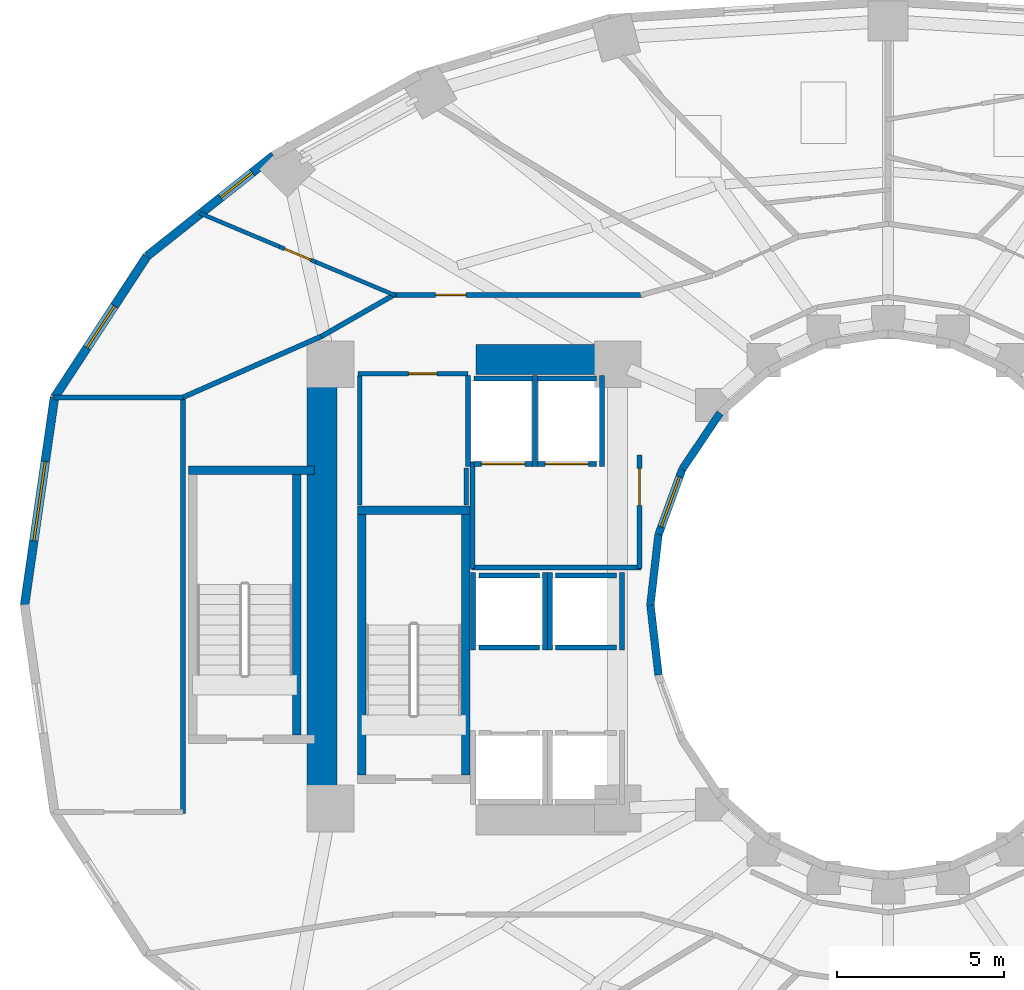
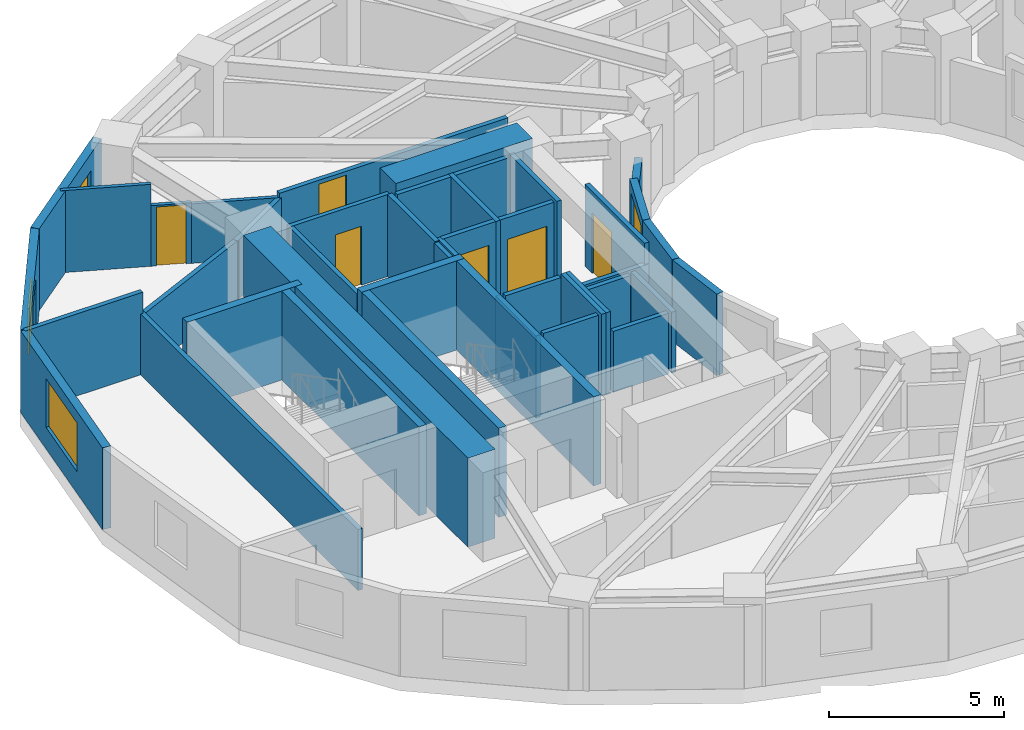
# One storey, part 8 of 15: 43 walls, 6 doors, 4 windows, 10 openings.
"""IFC4 building model written with IfcOpenShell, lengths in metres."""

from ifc_helpers import new_model, si_unit, direction, frame, frame_2d, origin, place, context, subcontext, project, spatial, rectangle, extrude, material, layer, layer_set, type_object, element, fill, save


model = new_model("IFC4")

# Units and contexts
model_context = context("Model", 3, precision=1e-05, world=origin(), true_north=direction((0.0, 1.0)))
body_context = subcontext(model_context, "Body", "Model", "MODEL_VIEW")
ifc_project = project(units=[si_unit("LENGTHUNIT", "METRE"), si_unit("AREAUNIT", "SQUARE_METRE"), si_unit("VOLUMEUNIT", "CUBIC_METRE"), si_unit("PLANEANGLEUNIT", "RADIAN"), si_unit("MASSUNIT", "GRAM", prefix="KILO")], contexts=[model_context])

# Site, building, storey
site_placement = place(None, origin())
site = spatial("IfcSite", under=ifc_project, at=site_placement, CompositionType="ELEMENT")
building_placement = place(site_placement, origin())
building = spatial("IfcBuilding", under=site, at=building_placement, Name="Solvane Sanctuary Tower", CompositionType="ELEMENT")
storey_placement = place(building_placement, frame((0.0, 0.0, 46.199951171875)))
storey = spatial("IfcBuildingStorey", under=building, at=storey_placement, Name="L13", CompositionType="ELEMENT", Elevation=46.199951171875)

# Walls
ifc_material_1 = material(Name="Concrete C70/85", Category="concrete")
ifc_layer_1 = layer(ifc_material_1, 0.89990234375, Name="Concrete C70/85")
ifc_layer_set_1 = layer_set([ifc_layer_1], Name="Concrete C70/85")
wall_type_1 = type_object("IfcWallType", Name="Wall W-CORE-900", PredefinedType="SHEAR", material=ifc_layer_set_1)
wall_1_placement = place(storey_placement, frame((15.050048828125, 17.050048828125, 0.0), z_axis=(0.0, 0.0, 1.0), x_axis=(0.0, 1.0, 0.0)))
element("IfcWall", 1, at=wall_1_placement, inside=storey, type_object=wall_type_1, Name="L13 Core Shear Wall WC-W", PredefinedType="SHEAR", context=body_context, shape_type="SweptSolid", body=[
    extrude(rectangle(XDim=12.800048828125, YDim=0.89990234375, at=frame_2d((6.39990234375, 0.0))), origin(), (0.0, 0.0, 1.0), 3.10009765625),
])
wall_2_placement = place(storey_placement, frame((19.64990234375, 30.35009765625, 0.0), z_axis=(0.0, 0.0, 1.0), x_axis=(1.0, 0.0, 0.0)))
element("IfcWall", 2, at=wall_2_placement, inside=storey, type_object=wall_type_1, Name="L13 Core Shear Wall WC-N", PredefinedType="SHEAR", context=body_context, shape_type="SweptSolid", body=[
    extrude(rectangle(XDim=4.5, YDim=0.89990234375, at=frame_2d((2.25, 0.0))), origin(), (0.0, 0.0, 1.0), 3.10009765625),
])
ifc_material_2 = material(Name="Acoustic Gypsum Partition Board")
ifc_layer_2 = layer(ifc_material_2, 0.14990234375, Name="Acoustic Gypsum Partition Board")
ifc_layer_set_2 = layer_set([ifc_layer_2], Name="Acoustic Gypsum Partition Board")
wall_type_2 = type_object("IfcWallType", Name="Wall W-CORR-150", PredefinedType="PARTITIONING", material=ifc_layer_set_2)
wall_3_placement = place(storey_placement, frame((19.52001953125, 24.1201171875, 0.0), z_axis=(0.0, 0.0, 1.0), x_axis=(1.0, 0.0, 0.0)))
element("IfcWall", 3, at=wall_3_placement, inside=storey, type_object=wall_type_2, Name="L13 West Firefighting Lobby South Wall", PredefinedType="PARTITIONING", context=body_context, shape_type="SweptSolid", body=[
    extrude(rectangle(XDim=5.080078125, YDim=0.14990234375, at=frame_2d((2.5400390625, 0.0))), origin(), (0.0, 0.0, 1.0), 2.1201171875),
])
wall_4_placement = place(storey_placement, frame((19.550048828125, 24.080078125, 0.0), z_axis=(0.0, 0.0, 1.0), x_axis=(0.0, 1.0, 0.0)))
element("IfcWall", 4, at=wall_4_placement, inside=storey, type_object=wall_type_2, Name="L13 West Firefighting Lobby West Wall", PredefinedType="PARTITIONING", context=body_context, shape_type="SweptSolid", body=[
    extrude(rectangle(XDim=3.199951171875, YDim=0.14990234375, at=frame_2d((1.60009765625, 0.0))), origin(), (0.0, 0.0, 1.0), 2.85498046875),
])

# Wall, opening, door
wall_5_placement = place(storey_placement, frame((24.550048828125, 24.080078125, 0.0), z_axis=(0.0, 0.0, 1.0), x_axis=(0.0, 1.0, 0.0)))
wall_5 = element("IfcWall", 5, at=wall_5_placement, inside=storey, type_object=wall_type_2, Name="L13 West Firefighting Lobby East Wall", PredefinedType="PARTITIONING", context=body_context, shape_type="SweptSolid", body=[
    extrude(rectangle(XDim=3.39990234375, YDim=0.14990234375, at=frame_2d((1.699951171875, 0.0))), origin(), (0.0, 0.0, 1.0), 2.85498046875),
])
opening_1_placement = place(wall_5_placement, frame((1.893798828125, 0.0, 0.0)))
opening_1 = element("IfcOpeningElement", 6, at=opening_1_placement, cuts=wall_5, Name="Opening D-L13-04", PredefinedType="OPENING", context=body_context, shape_type="SweptSolid", body=[
    extrude(rectangle(XDim=1.10009765625, YDim=2.10009765625, at=frame_2d((0.550048828125, 1.050048828125))), frame((0.0, 0.0849609375, 0.0), z_axis=(0.0, -1.0, 0.0), x_axis=(1.0, 0.0, 0.0)), (0.0, 0.0, 1.0), 0.169921875),
])
ifc_material_3 = material(Name="Architectural Stainless Steel 316", Category="steel")
door_type_1 = type_object("IfcDoorType", Name="Door D-FFL", OperationType="NOTDEFINED", PredefinedType="DOOR", material=ifc_material_3)
door_1_placement = place(opening_1_placement, origin())
door_1 = element("IfcDoor", 7, at=door_1_placement, inside=storey, type_object=door_type_1, Name="L13 West Firefighting Lobby Fire Door", OperationType="SINGLE_SWING_LEFT", OverallHeight=2.10009765625, OverallWidth=1.10009765625, PredefinedType="DOOR", context=body_context, shape_type="SweptSolid", body=[
    extrude(rectangle(XDim=1.10009765625, YDim=2.10009765625, at=frame_2d((0.550048828125, 1.050048828125))), frame((0.0, 0.02490234375, 0.0), z_axis=(0.0, -1.0, 0.0), x_axis=(1.0, 0.0, 0.0)), (0.0, 0.0, 1.0), 0.050048828125),
])
fill(opening_1, door_1)

# Walls
wall_6_placement = place(storey_placement, frame((10.8798828125, 16.748291015625, 0.0), z_axis=(0.0, 0.0, 1.0), x_axis=(0.0, 1.0, 0.0)))
element("IfcWall", 8, at=wall_6_placement, inside=storey, type_object=wall_type_2, Name="L13 West Shoulder Back Wall", PredefinedType="PARTITIONING", context=body_context, shape_type="SweptSolid", body=[
    extrude(rectangle(XDim=12.50341796875, YDim=0.14990234375, at=frame_2d((6.251708984375, 0.0))), origin(), (0.0, 0.0, 1.0), 2.1201171875),
])
wall_7_placement = place(storey_placement, frame((7.013671875, 29.211669921875, 0.0), z_axis=(0.0, 0.0, 1.0), x_axis=(1.0, 0.0, 0.0)))
element("IfcWall", 9, at=wall_7_placement, inside=storey, type_object=wall_type_2, Name="L13 West Shoulder North Wall", PredefinedType="PARTITIONING", context=body_context, shape_type="SweptSolid", body=[
    extrude(rectangle(XDim=3.8662109375, YDim=0.14990234375, at=frame_2d((1.93310546875, 0.0))), origin(), (0.0, 0.0, 1.0), 2.85498046875),
])
wall_8_placement = place(storey_placement, frame((10.843505859375, 29.195556640625, 0.0), z_axis=(0.0, 0.0, 1.0), x_axis=(0.91502756289, 0.403391322604, 0.0)))
element("IfcWall", 10, at=wall_8_placement, inside=storey, type_object=wall_type_2, Name="L13 NW Corner Closer 1", PredefinedType="PARTITIONING", context=body_context, shape_type="SweptSolid", body=[
    extrude(rectangle(XDim=4.63720703125, YDim=0.14990234375, at=frame_2d((2.318603515625, 0.0))), origin(), (0.0, 0.0, 1.0), 2.069091796875),
])

# Wall, opening, door
wall_9_placement = place(storey_placement, frame((17.14990234375, 32.280029296875, 0.0), z_axis=(0.0, 0.0, 1.0), x_axis=(1.0, 0.0, 0.0)))
wall_9 = element("IfcWall", 11, at=wall_9_placement, inside=storey, type_object=wall_type_2, Name="L13 NW Corner Corridor Wall", PredefinedType="PARTITIONING", context=body_context, shape_type="SweptSolid", body=[
    extrude(rectangle(XDim=7.52001953125, YDim=0.14990234375, at=frame_2d((3.760009765625, 0.0))), origin(), (0.0, 0.0, 1.0), 2.237060546875),
])
opening_2_placement = place(wall_9_placement, frame((1.300048828125, 0.0, 0.0)))
opening_2 = element("IfcOpeningElement", 12, at=opening_2_placement, cuts=wall_9, Name="Opening D-L13-12", PredefinedType="OPENING", context=body_context, shape_type="SweptSolid", body=[
    extrude(rectangle(XDim=0.89990234375, YDim=2.10009765625, at=frame_2d((0.449951171875, 1.050048828125))), frame((0.0, 0.0849609375, 0.0), z_axis=(0.0, -1.0, 0.0), x_axis=(1.0, 0.0, 0.0)), (0.0, 0.0, 1.0), 0.169921875),
])
ifc_material_4 = material(Name="Engineered Tropical Hardwood", Category="wood")
door_type_2 = type_object("IfcDoorType", Name="Door D-WET-900", OperationType="NOTDEFINED", PredefinedType="DOOR", material=ifc_material_4)
door_2_placement = place(opening_2_placement, origin())
door_2 = element("IfcDoor", 13, at=door_2_placement, inside=storey, type_object=door_type_2, Name="L13 NW Corner Salon Door", OperationType="SINGLE_SWING_LEFT", OverallHeight=2.10009765625, OverallWidth=0.89990234375, PredefinedType="DOOR", context=body_context, shape_type="SweptSolid", body=[
    extrude(rectangle(XDim=0.89990234375, YDim=2.10009765625, at=frame_2d((0.449951171875, 1.050048828125))), frame((0.0, 0.02490234375, 0.0), z_axis=(0.0, -1.0, 0.0), x_axis=(1.0, 0.0, 0.0)), (0.0, 0.0, 1.0), 0.050048828125),
])
fill(opening_2, door_2)

# Wall
wall_10_placement = place(storey_placement, frame((17.243408203125, 32.3046875, 0.0), z_axis=(0.0, 0.0, 1.0), x_axis=(-0.867991349648, -0.496579315857, 0.0)))
element("IfcWall", 14, at=wall_10_placement, inside=storey, type_object=wall_type_2, Name="L13 NW Corner Wing Wall", PredefinedType="PARTITIONING", context=body_context, shape_type="SweptSolid", body=[
    extrude(rectangle(XDim=2.56689453125, YDim=0.14990234375, at=frame_2d((1.283447265625, 0.0))), origin(), (0.0, 0.0, 1.0), 2.069091796875),
])

# Wall, opening, window
ifc_material_5 = material(Name="Precast concrete C40/50", Category="concrete")
ifc_layer_3 = layer(ifc_material_5, 0.260009765625, Name="Precast concrete C40/50")
ifc_layer_set_3 = layer_set([ifc_layer_3], Name="Precast concrete C40/50")
wall_type_3 = type_object("IfcWallType", Name="Wall W-EXT-250", PredefinedType="STANDARD", material=ifc_layer_set_3)
wall_11_placement = place(storey_placement, frame((13.595458984375, 36.449951171875, 0.0), z_axis=(0.0, 0.0, 1.0), x_axis=(-0.783123133379, -0.621866672179, 0.0)))
wall_11 = element("IfcWall", 15, at=wall_11_placement, inside=storey, type_object=wall_type_3, Name="L13 Ceramic-Printed Facade Wall 09", PredefinedType="STANDARD", context=body_context, shape_type="SweptSolid", body=[
    extrude(rectangle(XDim=4.838623046875, YDim=0.260009765625, at=frame_2d((2.41943359375, 0.0))), origin(), (0.0, 0.0, 1.0), 2.85009765625),
])
opening_3_placement = place(wall_11_placement, frame((0.819091796875, 0.0, 0.75)))
opening_3 = element("IfcOpeningElement", 16, at=opening_3_placement, cuts=wall_11, Name="Opening WN-OPER-1200", PredefinedType="OPENING", context=body_context, shape_type="SweptSolid", body=[
    extrude(rectangle(XDim=1.199951171875, YDim=1.5, at=frame_2d((0.60009765625, 0.75))), frame((0.0, 0.139892578125, 0.0), z_axis=(0.0, -1.0, 0.0), x_axis=(1.0, 0.0, 0.0)), (0.0, 0.0, 1.0), 0.280029296875),
])
ifc_material_6 = material(Name="Dark Ceramic-Fritted Low-E Glass", Category="glass")
window_type_1 = type_object("IfcWindowType", Name="Window WN-OPER-1200", PartitioningType="SINGLE_PANEL", PredefinedType="WINDOW", material=ifc_material_6)
window_1_placement = place(opening_3_placement, origin())
window_1 = element("IfcWindow", 17, at=window_1_placement, inside=storey, type_object=window_type_1, Name="L13 Operable Facade Window 09", OverallHeight=1.5, OverallWidth=1.199951171875, PartitioningType="SINGLE_PANEL", PredefinedType="WINDOW", context=body_context, shape_type="SweptSolid", body=[
    extrude(rectangle(XDim=1.199951171875, YDim=1.5, at=frame_2d((0.60009765625, 0.75))), frame((0.0, 0.030029296875, 0.0), z_axis=(0.0, -1.0, 0.0), x_axis=(1.0, 0.0, 0.0)), (0.0, 0.0, 1.0), 0.06005859375),
])
fill(opening_3, window_1)

wall_12_placement = place(storey_placement, frame((9.80615234375, 33.44091796875, 0.0), z_axis=(0.0, 0.0, 1.0), x_axis=(-0.547702757047, -0.836672988642, 0.0)))
wall_12 = element("IfcWall", 18, at=wall_12_placement, inside=storey, type_object=wall_type_3, Name="L13 Ceramic-Printed Facade Wall 10", PredefinedType="STANDARD", context=body_context, shape_type="SweptSolid", body=[
    extrude(rectangle(XDim=5.0625, YDim=0.260009765625, at=frame_2d((2.53125, 0.0))), origin(), (0.0, 0.0, 1.0), 2.85009765625),
])
opening_4_placement = place(wall_12_placement, frame((1.78125, 0.0, 0.75)))
opening_4 = element("IfcOpeningElement", 19, at=opening_4_placement, cuts=wall_12, Name="Opening WN-OPER-1500", PredefinedType="OPENING", context=body_context, shape_type="SweptSolid", body=[
    extrude(rectangle(XDim=1.5, YDim=1.60009765625, at=frame_2d((0.75, 0.800048828125))), frame((0.0, 0.139892578125, 0.0), z_axis=(0.0, -1.0, 0.0), x_axis=(1.0, 0.0, 0.0)), (0.0, 0.0, 1.0), 0.280029296875),
])
window_type_2 = type_object("IfcWindowType", Name="Window WN-OPER-1500", PartitioningType="SINGLE_PANEL", PredefinedType="WINDOW", material=ifc_material_6)
window_2_placement = place(opening_4_placement, origin())
window_2 = element("IfcWindow", 20, at=window_2_placement, inside=storey, type_object=window_type_2, Name="L13 Operable Facade Window 10", OverallHeight=1.60009765625, OverallWidth=1.5, PartitioningType="SINGLE_PANEL", PredefinedType="WINDOW", context=body_context, shape_type="SweptSolid", body=[
    extrude(rectangle(XDim=1.5, YDim=1.60009765625, at=frame_2d((0.75, 0.800048828125))), frame((0.0, 0.030029296875, 0.0), z_axis=(0.0, -1.0, 0.0), x_axis=(1.0, 0.0, 0.0)), (0.0, 0.0, 1.0), 0.06005859375),
])
fill(opening_4, window_2)

wall_13_placement = place(storey_placement, frame((7.033447265625, 29.205322265625, 0.0), z_axis=(0.0, 0.0, 1.0), x_axis=(-0.142528001686, -0.989790770181, 0.0)))
wall_13 = element("IfcWall", 21, at=wall_13_placement, inside=storey, type_object=wall_type_3, Name="L13 Ceramic-Printed Facade Wall 11", PredefinedType="STANDARD", context=body_context, shape_type="SweptSolid", body=[
    extrude(rectangle(XDim=6.269287109375, YDim=0.260009765625, at=frame_2d((3.134765625, 0.0))), origin(), (0.0, 0.0, 1.0), 2.85009765625),
])
opening_5_placement = place(wall_13_placement, frame((1.9345703125, 0.0, 0.75)))
opening_5 = element("IfcOpeningElement", 22, at=opening_5_placement, cuts=wall_13, Name="Opening WN-RIB-2400", PredefinedType="OPENING", context=body_context, shape_type="SweptSolid", body=[
    extrude(rectangle(XDim=2.39990234375, YDim=1.699951171875, at=frame_2d((1.199951171875, 0.85009765625))), frame((0.0, 0.139892578125, 0.0), z_axis=(0.0, -1.0, 0.0), x_axis=(1.0, 0.0, 0.0)), (0.0, 0.0, 1.0), 0.280029296875),
])
window_type_3 = type_object("IfcWindowType", Name="Window WN-RIB-2400", PartitioningType="SINGLE_PANEL", PredefinedType="WINDOW", material=ifc_material_6)
window_3_placement = place(opening_5_placement, origin())
window_3 = element("IfcWindow", 23, at=window_3_placement, inside=storey, type_object=window_type_3, Name="L13 Operable Facade Window 11", OverallHeight=1.699951171875, OverallWidth=2.39990234375, PartitioningType="SINGLE_PANEL", PredefinedType="WINDOW", context=body_context, shape_type="SweptSolid", body=[
    extrude(rectangle(XDim=2.39990234375, YDim=1.699951171875, at=frame_2d((1.199951171875, 0.85009765625))), frame((0.0, 0.030029296875, 0.0), z_axis=(0.0, -1.0, 0.0), x_axis=(1.0, 0.0, 0.0)), (0.0, 0.0, 1.0), 0.06005859375),
])
fill(opening_5, window_3)

# Wall
ifc_layer_4 = layer(ifc_material_5, 0.22998046875, Name="Precast concrete C40/50")
ifc_layer_set_4 = layer_set([ifc_layer_4], Name="Precast concrete C40/50")
wall_type_4 = type_object("IfcWallType", Name="Wall W-EXT-SP220", PredefinedType="STANDARD", material=ifc_layer_set_4)
wall_14_placement = place(storey_placement, frame((26.96533203125, 28.74169921875, 0.0), z_axis=(0.0, 0.0, 1.0), x_axis=(-0.558197800898, -0.829707909492, 0.0)))
element("IfcWall", 24, at=wall_14_placement, inside=storey, type_object=wall_type_4, Name="L13 Central Light-Well Wall 09", PredefinedType="STANDARD", context=body_context, shape_type="SweptSolid", body=[
    extrude(rectangle(XDim=2.02685546875, YDim=0.22998046875, at=frame_2d((1.013427734375, 0.0))), origin(), (0.0, 0.0, 1.0), 2.16015625),
])

# Wall, opening, window
wall_15_placement = place(storey_placement, frame((25.833984375, 27.06005859375, 0.0), z_axis=(0.0, 0.0, 1.0), x_axis=(-0.341423187295, -0.93990968033, 0.0)))
wall_15 = element("IfcWall", 25, at=wall_15_placement, inside=storey, type_object=wall_type_4, Name="L13 Central Light-Well Wall 10", PredefinedType="STANDARD", context=body_context, shape_type="SweptSolid", body=[
    extrude(rectangle(XDim=2.083740234375, YDim=0.22998046875, at=frame_2d((1.0419921875, 0.0))), origin(), (0.0, 0.0, 1.0), 2.840087890625),
])
opening_6_placement = place(wall_15_placement, frame((0.24169921875, 0.0, 0.85009765625)))
opening_6 = element("IfcOpeningElement", 26, at=opening_6_placement, cuts=wall_15, Name="Opening WN-WELL-1600", PredefinedType="OPENING", context=body_context, shape_type="SweptSolid", body=[
    extrude(rectangle(XDim=1.60009765625, YDim=1.64990234375, at=frame_2d((0.800048828125, 0.824951171875))), frame((0.0, 0.125, 0.0), z_axis=(0.0, -1.0, 0.0), x_axis=(1.0, 0.0, 0.0)), (0.0, 0.0, 1.0), 0.25),
])
ifc_material_7 = material(Name="Clear Laminated Light-Well Glass", Category="glass")
window_type_4 = type_object("IfcWindowType", Name="Window WN-WELL-1600", PartitioningType="SINGLE_PANEL", PredefinedType="WINDOW", material=ifc_material_7)
window_4_placement = place(opening_6_placement, origin())
window_4 = element("IfcWindow", 27, at=window_4_placement, inside=storey, type_object=window_type_4, Name="L13 Light-Well Daylight Window 10", OverallHeight=1.64990234375, OverallWidth=1.60009765625, PartitioningType="SINGLE_PANEL", PredefinedType="WINDOW", context=body_context, shape_type="SweptSolid", body=[
    extrude(rectangle(XDim=1.60009765625, YDim=1.64990234375, at=frame_2d((0.800048828125, 0.824951171875))), frame((0.0, 0.030029296875, 0.0), z_axis=(0.0, -1.0, 0.0), x_axis=(1.0, 0.0, 0.0)), (0.0, 0.0, 1.0), 0.06005859375),
])
fill(opening_6, window_4)

# Walls
for number, where, z_axis, x_axis, name in (
    (28, (25.12255859375, 25.1015625, 0.0), (0.0, 0.0, 1.0), (-0.114711713601, -0.993398823617, 0.0), "L13 Central Light-Well Wall 11"),
    (29, (24.8798828125, 23.0, 0.0), (0.0, 0.0, 1.0), (0.114711713601, -0.993398823617, 0.0), "L13 Central Light-Well Wall 12"),
):
    element("IfcWall", number, at=place(storey_placement, frame(where, z_axis=z_axis, x_axis=x_axis)), inside=storey, type_object=wall_type_4, Name=name, PredefinedType="STANDARD", context=body_context, shape_type="SweptSolid", body=[
        extrude(rectangle(XDim=2.115478515625, YDim=0.22998046875, at=frame_2d((1.0576171875, 0.0))), origin(), (0.0, 0.0, 1.0), 2.840087890625),
    ])
ifc_layer_5 = layer(ifc_material_2, 0.1201171875, Name="Acoustic Gypsum Partition Board")
ifc_layer_set_5 = layer_set([ifc_layer_5], Name="Acoustic Gypsum Partition Board")
wall_type_5 = type_object("IfcWallType", Name="Wall W-MOV-100", PredefinedType="MOVABLE", material=ifc_layer_set_5)
wall_16_placement = place(storey_placement, frame((17.24609375, 32.260498046875, 0.0), z_axis=(0.0, 0.0, 1.0), x_axis=(-0.921672585584, 0.3879686134, 0.0)))
element("IfcWall", 30, at=wall_16_placement, inside=storey, type_object=wall_type_5, Name="L13 NW Corner Suite Partition", PredefinedType="MOVABLE", context=body_context, shape_type="SweptSolid", body=[
    extrude(rectangle(XDim=2.59326171875, YDim=0.1201171875, at=frame_2d((1.296630859375, 0.0))), origin(), (0.0, 0.0, 1.0), 2.069091796875),
])

# Wall, opening, door
wall_17_placement = place(storey_placement, frame((14.85595703125, 33.2666015625, 0.0), z_axis=(0.0, 0.0, 1.0), x_axis=(-0.92176888, 0.387739773384, 0.0)))
wall_17 = element("IfcWall", 31, at=wall_17_placement, inside=storey, type_object=wall_type_5, Name="L13 NW Corner Suite Partition", PredefinedType="MOVABLE", context=body_context, shape_type="SweptSolid", body=[
    extrude(rectangle(XDim=1.169921875, YDim=0.1201171875, at=frame_2d((0.5849609375, 0.0))), origin(), (0.0, 0.0, 1.0), 2.110107421875),
])
opening_7_placement = place(wall_17_placement, frame((0.159912109375, 0.0, 0.0)))
opening_7 = element("IfcOpeningElement", 32, at=opening_7_placement, cuts=wall_17, Name="Opening D-L13-11", PredefinedType="OPENING", context=body_context, shape_type="SweptSolid", body=[
    extrude(rectangle(XDim=0.85009765625, YDim=2.050048828125, at=frame_2d((0.425048828125, 1.02490234375))), frame((0.0, 0.070068359375, 0.0), z_axis=(0.0, -1.0, 0.0), x_axis=(1.0, 0.0, 0.0)), (0.0, 0.0, 1.0), 0.14013671875),
])
door_type_3 = type_object("IfcDoorType", Name="Door D-RISER", OperationType="NOTDEFINED", PredefinedType="DOOR", material=ifc_material_3)
door_3_placement = place(opening_7_placement, origin())
door_3 = element("IfcDoor", 33, at=door_3_placement, inside=storey, type_object=door_type_3, Name="L13 NW Corner Suite Door", OperationType="SINGLE_SWING_RIGHT", OverallHeight=2.050048828125, OverallWidth=0.85009765625, PredefinedType="DOOR", context=body_context, shape_type="SweptSolid", body=[
    extrude(rectangle(XDim=0.85009765625, YDim=2.050048828125, at=frame_2d((0.425048828125, 1.02490234375))), frame((0.0, 0.02490234375, 0.0), z_axis=(0.0, -1.0, 0.0), x_axis=(1.0, 0.0, 0.0)), (0.0, 0.0, 1.0), 0.050048828125),
])
fill(opening_7, door_3)

# Walls
wall_18_placement = place(storey_placement, frame((13.777587890625, 33.72021484375, 0.0), z_axis=(0.0, 0.0, 1.0), x_axis=(-0.921706247461, 0.387888635295, 0.0)))
element("IfcWall", 34, at=wall_18_placement, inside=storey, type_object=wall_type_5, Name="L13 NW Corner Suite Partition", PredefinedType="MOVABLE", context=body_context, shape_type="SweptSolid", body=[
    extrude(rectangle(XDim=2.59326171875, YDim=0.1201171875, at=frame_2d((1.296630859375, 0.0))), origin(), (0.0, 0.0, 1.0), 2.85498046875),
])
ifc_material_8 = material(Name="Concrete C50/60", Category="concrete")
ifc_layer_6 = layer(ifc_material_8, 0.14990234375, Name="Concrete C50/60")
ifc_layer_set_6 = layer_set([ifc_layer_6], Name="Concrete C50/60")
wall_type_6 = type_object("IfcWallType", Name="Wall W-SHAFT-150", PredefinedType="SOLIDWALL", material=ifc_layer_set_6)
for number, where, z_axis, x_axis, name in (
    (35, (19.739990234375, 21.719970703125, 0.0), (0.0, 0.0, 1.0), (1.0, 0.0, 0.0), "L13 PM-1 Lift Shaft Wall F"),
    (36, (19.739990234375, 23.8798828125, 0.0), (0.0, 0.0, 1.0), (1.0, 0.0, 0.0), "L13 PM-1 Lift Shaft Wall B"),
):
    element("IfcWall", number, at=place(storey_placement, frame(where, z_axis=z_axis, x_axis=x_axis)), inside=storey, type_object=wall_type_6, Name=name, PredefinedType="SOLIDWALL", context=body_context, shape_type="SweptSolid", body=[
        extrude(rectangle(XDim=1.820068359375, YDim=0.14990234375, at=frame_2d((0.91015625, 0.0))), origin(), (0.0, 0.0, 1.0), 2.85498046875),
    ])
for number, where, z_axis, x_axis, name in (
    (37, (19.570068359375, 21.639892578125, 0.0), (0.0, 0.0, 1.0), (0.0, 1.0, 0.0), "L13 PM-1 Lift Shaft Wall S1"),
    (38, (21.72998046875, 21.639892578125, 0.0), (0.0, 0.0, 1.0), (0.0, 1.0, 0.0), "L13 PM-1 Lift Shaft Wall S2"),
):
    element("IfcWall", number, at=place(storey_placement, frame(where, z_axis=z_axis, x_axis=x_axis)), inside=storey, type_object=wall_type_6, Name=name, PredefinedType="SOLIDWALL", context=body_context, shape_type="SweptSolid", body=[
        extrude(rectangle(XDim=2.320068359375, YDim=0.14990234375, at=frame_2d((1.16015625, 0.0))), origin(), (0.0, 0.0, 1.0), 2.85498046875),
    ])
for number, where, z_axis, x_axis, name in (
    (39, (22.0400390625, 21.719970703125, 0.0), (0.0, 0.0, 1.0), (1.0, 0.0, 0.0), "L13 PH-1 Lift Shaft Wall F"),
    (40, (22.0400390625, 23.8798828125, 0.0), (0.0, 0.0, 1.0), (1.0, 0.0, 0.0), "L13 PH-1 Lift Shaft Wall B"),
):
    element("IfcWall", number, at=place(storey_placement, frame(where, z_axis=z_axis, x_axis=x_axis)), inside=storey, type_object=wall_type_6, Name=name, PredefinedType="SOLIDWALL", context=body_context, shape_type="SweptSolid", body=[
        extrude(rectangle(XDim=1.820068359375, YDim=0.14990234375, at=frame_2d((0.91015625, 0.0))), origin(), (0.0, 0.0, 1.0), 2.1201171875),
    ])
wall_19_placement = place(storey_placement, frame((21.8701171875, 21.639892578125, 0.0), z_axis=(0.0, 0.0, 1.0), x_axis=(0.0, 1.0, 0.0)))
element("IfcWall", 41, at=wall_19_placement, inside=storey, type_object=wall_type_6, Name="L13 PH-1 Lift Shaft Wall S1", PredefinedType="SOLIDWALL", context=body_context, shape_type="SweptSolid", body=[
    extrude(rectangle(XDim=2.320068359375, YDim=0.14990234375, at=frame_2d((1.16015625, 0.0))), origin(), (0.0, 0.0, 1.0), 2.85498046875),
])
wall_20_placement = place(storey_placement, frame((24.030029296875, 21.639892578125, 0.0), z_axis=(0.0, 0.0, 1.0), x_axis=(0.0, 1.0, 0.0)))
element("IfcWall", 42, at=wall_20_placement, inside=storey, type_object=wall_type_6, Name="L13 PH-1 Lift Shaft Wall S2", PredefinedType="SOLIDWALL", context=body_context, shape_type="SweptSolid", body=[
    extrude(rectangle(XDim=2.320068359375, YDim=0.14990234375, at=frame_2d((1.16015625, 0.0))), origin(), (0.0, 0.0, 1.0), 2.1201171875),
])

# Wall, opening, door
wall_21_placement = place(storey_placement, frame((19.590087890625, 27.219970703125, 0.0), z_axis=(0.0, 0.0, 1.0), x_axis=(1.0, 0.0, 0.0)))
wall_21 = element("IfcWall", 43, at=wall_21_placement, inside=storey, type_object=wall_type_6, Name="L13 FFL-1 Lift Shaft Wall F", PredefinedType="SOLIDWALL", context=body_context, shape_type="SweptSolid", body=[
    extrude(rectangle(XDim=1.760009765625, YDim=0.14990234375, at=frame_2d((0.8798828125, 0.0))), origin(), (0.0, 0.0, 1.0), 2.85498046875),
])
opening_8_placement = place(wall_21_placement, frame((0.22998046875, 0.0, 0.0)))
opening_8 = element("IfcOpeningElement", 44, at=opening_8_placement, cuts=wall_21, Name="Opening LD-L13-05", PredefinedType="OPENING", context=body_context, shape_type="SweptSolid", body=[
    extrude(rectangle(XDim=1.300048828125, YDim=2.10009765625, at=frame_2d((0.64990234375, 1.050048828125))), frame((0.0, 0.0849609375, 0.0), z_axis=(0.0, -1.0, 0.0), x_axis=(1.0, 0.0, 0.0)), (0.0, 0.0, 1.0), 0.169921875),
])
door_type_4 = type_object("IfcDoorType", Name="Door LD-FFL-1300", OperationType="NOTDEFINED", PredefinedType="DOOR", material=ifc_material_3)
door_4_placement = place(opening_8_placement, origin())
door_4 = element("IfcDoor", 45, at=door_4_placement, inside=storey, type_object=door_type_4, Name="L13 FFL-1 Lift Landing Door", OperationType="DOUBLE_DOOR_SLIDING", OverallHeight=2.10009765625, OverallWidth=1.300048828125, PredefinedType="DOOR", context=body_context, shape_type="SweptSolid", body=[
    extrude(rectangle(XDim=1.300048828125, YDim=2.10009765625, at=frame_2d((0.64990234375, 1.050048828125))), frame((0.0, 0.02490234375, 0.0), z_axis=(0.0, -1.0, 0.0), x_axis=(1.0, 0.0, 0.0)), (0.0, 0.0, 1.0), 0.050048828125),
])
fill(opening_8, door_4)

# Walls
wall_22_placement = place(storey_placement, frame((19.590087890625, 29.780029296875, 0.0), z_axis=(0.0, 0.0, 1.0), x_axis=(1.0, 0.0, 0.0)))
element("IfcWall", 46, at=wall_22_placement, inside=storey, type_object=wall_type_6, Name="L13 FFL-1 Lift Shaft Wall B", PredefinedType="SOLIDWALL", context=body_context, shape_type="SweptSolid", body=[
    extrude(rectangle(XDim=1.760009765625, YDim=0.14990234375, at=frame_2d((0.8798828125, 0.0))), origin(), (0.0, 0.0, 1.0), 2.85498046875),
])
for number, where, z_axis, x_axis, name in (
    (47, (19.419921875, 27.139892578125, 0.0), (0.0, 0.0, 1.0), (0.0, 1.0, 0.0), "L13 FFL-1 Lift Shaft Wall S1"),
    (48, (21.425048828125, 27.139892578125, 0.0), (0.0, 0.0, 1.0), (0.0, 1.0, 0.0), "L13 FFL-1 Lift Shaft Wall S2"),
):
    element("IfcWall", number, at=place(storey_placement, frame(where, z_axis=z_axis, x_axis=x_axis)), inside=storey, type_object=wall_type_6, Name=name, PredefinedType="SOLIDWALL", context=body_context, shape_type="SweptSolid", body=[
        extrude(rectangle(XDim=2.72021484375, YDim=0.14990234375, at=frame_2d((1.360107421875, 0.0))), origin(), (0.0, 0.0, 1.0), 2.85498046875),
    ])

# Wall, opening, door
wall_23_placement = place(storey_placement, frame((21.5, 27.219970703125, 0.0), z_axis=(0.0, 0.0, 1.0), x_axis=(1.0, 0.0, 0.0)))
wall_23 = element("IfcWall", 49, at=wall_23_placement, inside=storey, type_object=wall_type_6, Name="L13 SVL-1 Lift Shaft Wall F", PredefinedType="SOLIDWALL", context=body_context, shape_type="SweptSolid", body=[
    extrude(rectangle(XDim=1.760009765625, YDim=0.14990234375, at=frame_2d((0.8798828125, 0.0))), origin(), (0.0, 0.0, 1.0), 2.85498046875),
])
opening_9_placement = place(wall_23_placement, frame((0.22998046875, 0.0, 0.0)))
opening_9 = element("IfcOpeningElement", 50, at=opening_9_placement, cuts=wall_23, Name="Opening LD-L13-06", PredefinedType="OPENING", context=body_context, shape_type="SweptSolid", body=[
    extrude(rectangle(XDim=1.300048828125, YDim=2.10009765625, at=frame_2d((0.64990234375, 1.050048828125))), frame((0.0, 0.0849609375, 0.0), z_axis=(0.0, -1.0, 0.0), x_axis=(1.0, 0.0, 0.0)), (0.0, 0.0, 1.0), 0.169921875),
])
door_5_placement = place(opening_9_placement, origin())
door_5 = element("IfcDoor", 51, at=door_5_placement, inside=storey, type_object=door_type_4, Name="L13 SVL-1 Lift Landing Door", OperationType="DOUBLE_DOOR_SLIDING", OverallHeight=2.10009765625, OverallWidth=1.300048828125, PredefinedType="DOOR", context=body_context, shape_type="SweptSolid", body=[
    extrude(rectangle(XDim=1.300048828125, YDim=2.10009765625, at=frame_2d((0.64990234375, 1.050048828125))), frame((0.0, 0.02490234375, 0.0), z_axis=(0.0, -1.0, 0.0), x_axis=(1.0, 0.0, 0.0)), (0.0, 0.0, 1.0), 0.050048828125),
])
fill(opening_9, door_5)

# Walls
wall_24_placement = place(storey_placement, frame((21.5, 29.780029296875, 0.0), z_axis=(0.0, 0.0, 1.0), x_axis=(1.0, 0.0, 0.0)))
element("IfcWall", 52, at=wall_24_placement, inside=storey, type_object=wall_type_6, Name="L13 SVL-1 Lift Shaft Wall B", PredefinedType="SOLIDWALL", context=body_context, shape_type="SweptSolid", body=[
    extrude(rectangle(XDim=1.760009765625, YDim=0.14990234375, at=frame_2d((0.8798828125, 0.0))), origin(), (0.0, 0.0, 1.0), 2.85498046875),
])
wall_25_placement = place(storey_placement, frame((23.429931640625, 27.139892578125, 0.0), z_axis=(0.0, 0.0, 1.0), x_axis=(0.0, 1.0, 0.0)))
element("IfcWall", 53, at=wall_25_placement, inside=storey, type_object=wall_type_6, Name="L13 SVL-1 Lift Shaft Wall S2", PredefinedType="SOLIDWALL", context=body_context, shape_type="SweptSolid", body=[
    extrude(rectangle(XDim=2.72021484375, YDim=0.14990234375, at=frame_2d((1.360107421875, 0.0))), origin(), (0.0, 0.0, 1.0), 2.85498046875),
])
ifc_layer_7 = layer(ifc_material_8, 0.25, Name="Concrete C50/60")
ifc_layer_set_7 = layer_set([ifc_layer_7], Name="Concrete C50/60")
wall_type_7 = type_object("IfcWallType", Name="Wall W-SHAFT-250", PredefinedType="SOLIDWALL", material=ifc_layer_set_7)
wall_26_placement = place(storey_placement, frame((16.10498046875, 25.830078125, 0.0), z_axis=(0.0, 0.0, 1.0), x_axis=(1.0, 0.0, 0.0)))
element("IfcWall", 54, at=wall_26_placement, inside=storey, type_object=wall_type_7, Name="L13 ST-1 Load-Bearing Shaft Wall N", PredefinedType="SOLIDWALL", context=body_context, shape_type="SweptSolid", body=[
    extrude(rectangle(XDim=3.3701171875, YDim=0.25, at=frame_2d((1.68505859375, 0.0))), origin(), (0.0, 0.0, 1.0), 3.10009765625),
])
for number, where, z_axis, x_axis, name in (
    (55, (16.22998046875, 17.89501953125, 0.0), (0.0, 0.0, 1.0), (0.0, 1.0, 0.0), "L13 ST-1 Load-Bearing Shaft Wall W"),
    (56, (19.35009765625, 17.89501953125, 0.0), (0.0, 0.0, 1.0), (0.0, 1.0, 0.0), "L13 ST-1 Load-Bearing Shaft Wall E"),
):
    element("IfcWall", number, at=place(storey_placement, frame(where, z_axis=z_axis, x_axis=x_axis)), inside=storey, type_object=wall_type_7, Name=name, PredefinedType="SOLIDWALL", context=body_context, shape_type="SweptSolid", body=[
        extrude(rectangle(XDim=7.81005859375, YDim=0.25, at=frame_2d((3.905029296875, 0.0))), origin(), (0.0, 0.0, 1.0), 3.10009765625),
    ])
wall_27_placement = place(storey_placement, frame((11.044921875, 27.030029296875, 0.0), z_axis=(0.0, 0.0, 1.0), x_axis=(1.0, 0.0, 0.0)))
element("IfcWall", 57, at=wall_27_placement, inside=storey, type_object=wall_type_7, Name="L13 ST-3 Load-Bearing Shaft Wall N", PredefinedType="SOLIDWALL", context=body_context, shape_type="SweptSolid", body=[
    extrude(rectangle(XDim=3.781982421875, YDim=0.25, at=frame_2d((1.89111328125, 0.0))), origin(), (0.0, 0.0, 1.0), 3.10009765625),
])
wall_28_placement = place(storey_placement, frame((14.2900390625, 19.094970703125, 0.0), z_axis=(0.0, 0.0, 1.0), x_axis=(0.0, 1.0, 0.0)))
element("IfcWall", 58, at=wall_28_placement, inside=storey, type_object=wall_type_7, Name="L13 ST-3 Load-Bearing Shaft Wall E", PredefinedType="SOLIDWALL", context=body_context, shape_type="SweptSolid", body=[
    extrude(rectangle(XDim=7.81005859375, YDim=0.25, at=frame_2d((3.905029296875, 0.0))), origin(), (0.0, 0.0, 1.0), 3.10009765625),
])

# Wall, opening, door
ifc_layer_8 = layer(ifc_material_2, 0.139892578125, Name="Acoustic Gypsum Partition Board")
ifc_layer_set_8 = layer_set([ifc_layer_8], Name="Acoustic Gypsum Partition Board")
wall_type_8 = type_object("IfcWallType", Name="Wall W-WET-140", PredefinedType="PLUMBINGWALL", material=ifc_layer_set_8)
wall_29_placement = place(storey_placement, frame((16.1201171875, 29.919921875, 0.0), z_axis=(0.0, 0.0, 1.0), x_axis=(1.0, 0.0, 0.0)))
wall_29 = element("IfcWall", 59, at=wall_29_placement, inside=storey, type_object=wall_type_8, Name="L13 Core Service Front Wall KW0", PredefinedType="PLUMBINGWALL", context=body_context, shape_type="SweptSolid", body=[
    extrude(rectangle(XDim=3.2998046875, YDim=0.139892578125, at=frame_2d((1.64990234375, 0.0))), origin(), (0.0, 0.0, 1.0), 2.85498046875),
])
opening_10_placement = place(wall_29_placement, frame((1.515869140625, 0.0, 0.0)))
opening_10 = element("IfcOpeningElement", 60, at=opening_10_placement, cuts=wall_29, Name="Opening D-L13-06", PredefinedType="OPENING", context=body_context, shape_type="SweptSolid", body=[
    extrude(rectangle(XDim=0.85009765625, YDim=2.050048828125, at=frame_2d((0.425048828125, 1.02490234375))), frame((0.0, 0.079833984375, 0.0), z_axis=(0.0, -1.0, 0.0), x_axis=(1.0, 0.0, 0.0)), (0.0, 0.0, 1.0), 0.159912109375),
])
door_6_placement = place(opening_10_placement, origin())
door_6 = element("IfcDoor", 61, at=door_6_placement, inside=storey, type_object=door_type_3, Name="L13 Core Service Room Door KW0-1", OperationType="SINGLE_SWING_LEFT", OverallHeight=2.050048828125, OverallWidth=0.85009765625, PredefinedType="DOOR", context=body_context, shape_type="SweptSolid", body=[
    extrude(rectangle(XDim=0.85009765625, YDim=2.050048828125, at=frame_2d((0.425048828125, 1.02490234375))), frame((0.0, 0.02490234375, 0.0), z_axis=(0.0, -1.0, 0.0), x_axis=(1.0, 0.0, 0.0)), (0.0, 0.0, 1.0), 0.050048828125),
])
fill(opening_10, door_6)

# Walls
wall_30_placement = place(storey_placement, frame((16.179931640625, 25.97998046875, 0.0), z_axis=(0.0, 0.0, 1.0), x_axis=(0.0, 1.0, 0.0)))
element("IfcWall", 62, at=wall_30_placement, inside=storey, type_object=wall_type_8, Name="L13 Core Service Side Wall KW0-1", PredefinedType="PLUMBINGWALL", context=body_context, shape_type="SweptSolid", body=[
    extrude(rectangle(XDim=3.880126953125, YDim=0.139892578125, at=frame_2d((1.93994140625, 0.0))), origin(), (0.0, 0.0, 1.0), 2.85498046875),
])
wall_31_placement = place(storey_placement, frame((19.360107421875, 25.97998046875, 0.0), z_axis=(0.0, 0.0, 1.0), x_axis=(0.0, 1.0, 0.0)))
element("IfcWall", 63, at=wall_31_placement, inside=storey, type_object=wall_type_8, Name="L13 Core Service Side Wall KW0-2", PredefinedType="PLUMBINGWALL", context=body_context, shape_type="SweptSolid", body=[
    extrude(rectangle(XDim=1.1201171875, YDim=0.139892578125, at=frame_2d((0.56005859375, 0.0))), origin(), (0.0, 0.0, 1.0), 2.85498046875),
])

save(model, "model.ifc")
